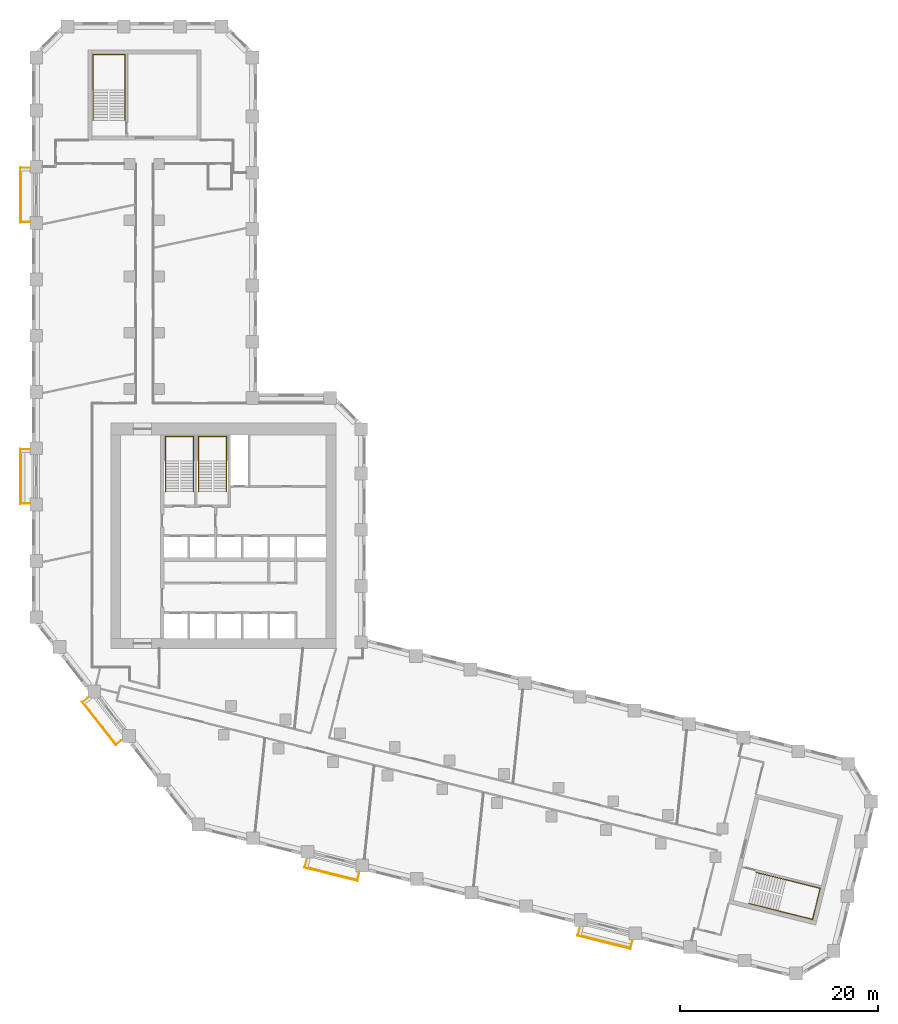
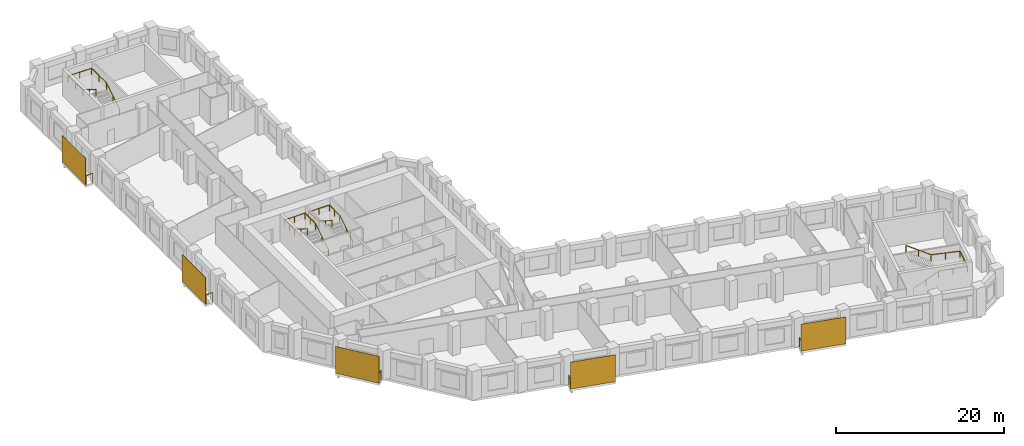
# One storey, part 11 of 11: 9 railings, 5 shading devices.
"""IFC4 building model written with IfcOpenShell, lengths in metres."""

import ifcopenshell
import ifcopenshell.guid

model = None  # the IFC model being written
_history = None  # IfcOwnerHistory: only IFC2X3 demands one
_inside = {}  # id of a spatial element -> (the spatial element, [elements in it])
_under = {}  # id of a project, library or spatial element -> (it, [spatial elements below it])
_declared = {}  # id of a project -> (the project, [libraries it declares])
_typed = {}  # id of a type object -> (the type object, [elements of that type])
_made_of = {}  # id of a material, layer set ... -> (it, [elements and type objects made of it])


def new_model(schema):
    """Start an empty IFC model of exactly this schema.

    Asked for "IFC4X3", IfcOpenShell would pick the latest addendum, in which some entities
    have other attributes; the version numbers below select the first issue.
    IFC2X3 requires an IfcOwnerHistory on every rooted entity: one is made here for all.
    """
    global model, _history
    if schema == "IFC4X3":
        model = ifcopenshell.file(schema_version=(4, 3, 0, 0))
    else:
        model = ifcopenshell.file(schema=schema)
    _inside.clear()
    _under.clear()
    _declared.clear()
    _typed.clear()
    _made_of.clear()
    _history = None
    if model.schema == "IFC2X3":
        org = make("IfcOrganization", Name="unknown")
        user = make(
            "IfcPersonAndOrganization",
            ThePerson=make("IfcPerson", FamilyName="unknown"),
            TheOrganization=org,
        )
        app = make(
            "IfcApplication",
            ApplicationDeveloper=org,
            Version="unknown",
            ApplicationFullName="unknown",
            ApplicationIdentifier="unknown",
        )
        _history = make(
            "IfcOwnerHistory",
            OwningUser=user,
            OwningApplication=app,
            ChangeAction="ADDED",
            CreationDate=0,
        )
    return model


def make(cls, **values):
    """One entity of the class cls with the attributes given. An attribute that is None is left unset."""
    return model.create_entity(
        cls, **{name: value for name, value in values.items() if value is not None}
    )


def rooted(cls, **values):
    """An entity with a GlobalId (a new one), such as an element, a storey or a relation."""
    return make(cls, GlobalId=ifcopenshell.guid.new(), OwnerHistory=_history, **values)


def si_unit(unit_type, name, prefix=None):
    """IfcSIUnit, for example si_unit("LENGTHUNIT", "METRE", prefix="MILLI")."""
    return make("IfcSIUnit", UnitType=unit_type, Prefix=prefix, Name=name)


def assignment(units):
    """IfcUnitAssignment: the units of a project."""
    return None if units is None else make("IfcUnitAssignment", Units=units)


def point(xyz):
    """IfcCartesianPoint."""
    return None if xyz is None else make("IfcCartesianPoint", Coordinates=xyz)


def direction(xyz):
    """IfcDirection."""
    return None if xyz is None else make("IfcDirection", DirectionRatios=xyz)


def frame(location, z_axis=None, x_axis=None):
    """IfcAxis2Placement3D, a coordinate frame: its origin and axes. An axis left out is left unset."""
    return make(
        "IfcAxis2Placement3D",
        Location=point(location),
        Axis=direction(z_axis),
        RefDirection=direction(x_axis),
    )


def frame_2d(location, x_axis=None):
    """IfcAxis2Placement2D, a coordinate frame in the plane: its origin and x axis."""
    return make(
        "IfcAxis2Placement2D", Location=point(location), RefDirection=direction(x_axis)
    )


def origin():
    """The frame at (0, 0, 0) with its axes left unset."""
    return frame((0.0, 0.0, 0.0))


def origin_2d():
    """The frame at (0, 0) in the plane with its x axis left unset."""
    return frame_2d((0.0, 0.0))


def place(relative_to, where):
    """IfcLocalPlacement: puts the frame where relative to a parent placement (None: the world)."""
    return make(
        "IfcLocalPlacement", PlacementRelTo=relative_to, RelativePlacement=where
    )


def context(
    kind, dimensions, precision=None, world=None, true_north=None, identifier=None
):
    """IfcGeometricRepresentationContext, for example the 3D "Model" context."""
    return make(
        "IfcGeometricRepresentationContext",
        ContextIdentifier=identifier,
        ContextType=kind,
        CoordinateSpaceDimension=dimensions,
        Precision=precision,
        WorldCoordinateSystem=world,
        TrueNorth=true_north,
    )


def subcontext(parent, identifier, kind, view, scale=None):
    """IfcGeometricRepresentationSubContext, for example "Body" below "Model"."""
    return make(
        "IfcGeometricRepresentationSubContext",
        ContextIdentifier=identifier,
        ContextType=kind,
        ParentContext=parent,
        TargetScale=scale,
        TargetView=view,
    )


def project(units=None, contexts=None):
    """IfcProject with its units and contexts."""
    return rooted(
        "IfcProject",
        Name="project",
        RepresentationContexts=contexts,
        UnitsInContext=assignment(units),
    )


def spatial(cls, under=None, at=None, **own):
    """A site, building, storey or space (cls), placed at a placement, below another one or the project."""
    s = rooted(cls, ObjectPlacement=at, **own)
    if under is not None:
        _under.setdefault(under.id(), (under, []))[1].append(s)
    return s


def profile(cls, at=None, kind="AREA", **sizes):
    """A parametric profile (cls). Its sizes go by their IFC names, for example OverallWidth=200.0."""
    return make(cls, ProfileType=kind, Position=at, **sizes)


def rectangle(**sizes):
    """IfcRectangleProfileDef."""
    return profile("IfcRectangleProfileDef", **sizes)


def circle(**sizes):
    """IfcCircleProfileDef."""
    return profile("IfcCircleProfileDef", **sizes)


def extrude(swept, where, along, depth):
    """IfcExtrudedAreaSolid: the profile swept, set in the frame where, extruded along a direction by depth."""
    return make(
        "IfcExtrudedAreaSolid",
        SweptArea=swept,
        Position=where,
        ExtrudedDirection=direction(along),
        Depth=depth,
    )


def shape(context_of_items, identifier, shape_type, items):
    """IfcShapeRepresentation: the items that make up one representation, for example the "Body"."""
    return make(
        "IfcShapeRepresentation",
        ContextOfItems=context_of_items,
        RepresentationIdentifier=identifier,
        RepresentationType=shape_type,
        Items=items,
    )


def material(Name=None, Category=None):
    """IfcMaterial."""
    return make("IfcMaterial", Name=Name, Category=Category)


def layer(
    of_material, thickness, ventilated=None, Name=None, Category=None, Priority=None
):
    """IfcMaterialLayer: one layer of a wall or slab, of a material (None: an air gap)."""
    return make(
        "IfcMaterialLayer",
        Material=of_material,
        LayerThickness=thickness,
        IsVentilated=ventilated,
        Name=Name,
        Category=Category,
        Priority=Priority,
    )


def layer_set(layers, Name=None):
    """IfcMaterialLayerSet."""
    return make("IfcMaterialLayerSet", MaterialLayers=layers, LayerSetName=Name)


def made_of(thing, what):
    """Note that an element or type object is made of a material, layer set ...; save() writes the relation."""
    if what is not None:
        _made_of.setdefault(what.id(), (what, []))[1].append(thing)
    return thing


def type_object(cls, material=None, **own):
    """A type object (cls), such as IfcWallType, which elements share."""
    return made_of(rooted(cls, **own), material)


def element(
    cls,
    number,
    at=None,
    inside=None,
    cuts=None,
    type_object=None,
    material=None,
    context=None,
    identifier="Body",
    shape_type=None,
    held_by="IfcProductDefinitionShape",
    body=None,
    shapes=None,
    **own,
):
    """One element of the class cls, such as IfcWall. Its Tag is "e" and its number.

    at: its placement. inside: the storey or other place that contains it. cuts: it is an
    opening in that element (IfcRelVoidsElement). A single representation is given by context,
    identifier, shape_type and body (its items); several are given by shapes. held_by: the class
    of the entity that holds the representations. save() writes the other relations.
    """
    e = rooted(cls, Tag="e%d" % number, ObjectPlacement=at, **own)
    if body is not None:
        shapes = [shape(context, identifier, shape_type, body)]
    if shapes is not None:
        e.Representation = make(held_by, Representations=shapes)
    if inside is not None:
        _inside.setdefault(inside.id(), (inside, []))[1].append(e)
    if cuts is not None:
        rooted(
            "IfcRelVoidsElement", RelatingBuildingElement=cuts, RelatedOpeningElement=e
        )
    if type_object is not None:
        _typed.setdefault(type_object.id(), (type_object, []))[1].append(e)
    return made_of(e, material)


def aggregate(whole, parts):
    """IfcRelAggregates: a whole, such as a stair, and the parts it consists of."""
    return rooted("IfcRelAggregates", RelatingObject=whole, RelatedObjects=parts)


def save(model, path):
    """Write the relations noted so far, then the file.

    IfcRelAggregates (storeys below a building ...), IfcRelContainedInSpatialStructure (elements
    in a storey), IfcRelDefinesByType, IfcRelAssociatesMaterial and IfcRelDeclares: one each for
    every whole, place, type object, material and project.
    """
    for whole, parts in _under.values():
        aggregate(whole, parts)
    for where, things in _inside.values():
        rooted(
            "IfcRelContainedInSpatialStructure",
            RelatedElements=things,
            RelatingStructure=where,
        )
    for kind, things in _typed.values():
        rooted("IfcRelDefinesByType", RelatedObjects=things, RelatingType=kind)
    for what, things in _made_of.values():
        rooted("IfcRelAssociatesMaterial", RelatedObjects=things, RelatingMaterial=what)
    for by, libraries in _declared.values():
        rooted("IfcRelDeclares", RelatingContext=by, RelatedDefinitions=libraries)
    model.write(path)


model = new_model("IFC4")

# Units and contexts
model_context = context("Model", 3, precision=1e-05, world=origin(), true_north=direction((0.0, 1.0)))
body_context = subcontext(model_context, "Body", "Model", "MODEL_VIEW")
ifc_project = project(units=[si_unit("LENGTHUNIT", "METRE"), si_unit("AREAUNIT", "SQUARE_METRE"), si_unit("VOLUMEUNIT", "CUBIC_METRE"), si_unit("PLANEANGLEUNIT", "RADIAN"), si_unit("MASSUNIT", "GRAM", prefix="KILO")], contexts=[model_context])

# Site, building, storey
site_placement = place(None, origin())
site = spatial("IfcSite", under=ifc_project, at=site_placement, CompositionType="ELEMENT")
building_placement = place(site_placement, origin())
building = spatial("IfcBuilding", under=site, at=building_placement, Name="Meshkara Civic Tower", CompositionType="ELEMENT")
storey_placement = place(building_placement, frame((0.0, 0.0, 135.0)))
storey = spatial("IfcBuildingStorey", under=building, at=storey_placement, Name="L30", CompositionType="ELEMENT", Elevation=135.0)

# Railings
ifc_material_1 = material(Name="Steel S355", Category="steel")
railing_type_1 = type_object("IfcRailingType", Name="BALUSTRADE GUARD 1400", PredefinedType="BALUSTRADE", material=ifc_material_1)
for number, where, name in (
    (1, (-0.199951171875, 62.735107421875, 0.0), "Balcony guard"),
    (2, (-0.199951171875, 34.235107421875, 0.0), "Balcony guard"),
):
    element("IfcRailing", number, at=place(storey_placement, frame(where)), inside=storey, type_object=railing_type_1, Name=name, PredefinedType="BALUSTRADE", context=body_context, shape_type="SweptSolid", body=[
        extrude(circle(Radius=0.02392578125, at=origin_2d()), frame((0.0, 0.0, 1.3759765625), z_axis=(-1.0, 0.0, 0.0), x_axis=(0.0, -1.0, 0.0)), (0.0, 0.0, 1.0), 0.91015625),
        extrude(circle(Radius=0.02392578125, at=origin_2d()), frame((-0.91015625, 0.0, 1.3759765625), z_axis=(0.0, -1.0, 0.0), x_axis=(1.0, 0.0, 0.0)), (0.0, 0.0, 1.0), 5.460205078125),
        extrude(circle(Radius=0.02392578125, at=origin_2d()), frame((-0.91015625, -5.460205078125, 1.3759765625), z_axis=(1.0, 0.0, 0.0), x_axis=(0.0, 1.0, 0.0)), (0.0, 0.0, 1.0), 0.91015625),
        extrude(circle(Radius=0.02099609375, at=origin_2d()), origin(), (0.0, 0.0, 1.0), 1.351806640625),
        extrude(circle(Radius=0.02099609375, at=origin_2d()), frame((-0.91015625, 0.0, 0.0)), (0.0, 0.0, 1.0), 1.351806640625),
        extrude(circle(Radius=0.02099609375, at=origin_2d()), frame((-0.91015625, -1.092041015625, 0.0)), (0.0, 0.0, 1.0), 1.351806640625),
        extrude(circle(Radius=0.02099609375, at=origin_2d()), frame((-0.91015625, -2.18408203125, 0.0)), (0.0, 0.0, 1.0), 1.351806640625),
        extrude(circle(Radius=0.02099609375, at=origin_2d()), frame((-0.91015625, -3.276123046875, 0.0)), (0.0, 0.0, 1.0), 1.351806640625),
        extrude(circle(Radius=0.02099609375, at=origin_2d()), frame((-0.91015625, -4.3681640625, 0.0)), (0.0, 0.0, 1.0), 1.351806640625),
        extrude(circle(Radius=0.02099609375, at=origin_2d()), frame((-0.91015625, -5.460205078125, 0.0)), (0.0, 0.0, 1.0), 1.351806640625),
        extrude(circle(Radius=0.02099609375, at=origin_2d()), frame((0.0, -5.460205078125, 0.0)), (0.0, 0.0, 1.0), 1.351806640625),
    ])
railing_1_placement = place(storey_placement, frame((5.677978515625, 9.0810546875, 0.0)))
element("IfcRailing", 3, at=railing_1_placement, inside=storey, type_object=railing_type_1, Name="Balcony guard", PredefinedType="BALUSTRADE", context=body_context, shape_type="SweptSolid", body=[
    extrude(circle(Radius=0.02392578125, at=origin_2d()), frame((0.0, 0.0, 1.3759765625), z_axis=(-0.787481136241, -0.61633875431, 0.0), x_axis=(0.61633875431, -0.787481136241, 0.0)), (0.0, 0.0, 1.0), 0.647705078125),
    extrude(circle(Radius=0.02392578125, at=origin_2d()), frame((-0.510009765625, -0.399169921875, 1.3759765625), z_axis=(0.615684818606, -0.787992515281, 0.0), x_axis=(0.787992515281, 0.615684818606, 0.0)), (0.0, 0.0, 1.0), 5.460693359375),
    extrude(circle(Radius=0.02392578125, at=origin_2d()), frame((2.85205078125, -4.7021484375, 1.3759765625), z_axis=(0.787481136241, 0.61633875431, 0.0), x_axis=(-0.61633875431, 0.787481136241, 0.0)), (0.0, 0.0, 1.0), 0.647705078125),
    extrude(circle(Radius=0.02099609375, at=origin_2d()), origin(), (0.0, 0.0, 1.0), 1.351806640625),
    extrude(circle(Radius=0.02099609375, at=origin_2d()), frame((-0.510009765625, -0.399169921875, 0.0)), (0.0, 0.0, 1.0), 1.351806640625),
    extrude(circle(Radius=0.02099609375, at=origin_2d()), frame((0.162353515625, -1.259765625, 0.0)), (0.0, 0.0, 1.0), 1.351806640625),
    extrude(circle(Radius=0.02099609375, at=origin_2d()), frame((0.834716796875, -2.120361328125, 0.0)), (0.0, 0.0, 1.0), 1.351806640625),
    extrude(circle(Radius=0.02099609375, at=origin_2d()), frame((1.50732421875, -2.98095703125, 0.0)), (0.0, 0.0, 1.0), 1.351806640625),
    extrude(circle(Radius=0.02099609375, at=origin_2d()), frame((2.1796875, -3.841552734375, 0.0)), (0.0, 0.0, 1.0), 1.351806640625),
    extrude(circle(Radius=0.02099609375, at=origin_2d()), frame((2.85205078125, -4.7021484375, 0.0)), (0.0, 0.0, 1.0), 1.351806640625),
    extrude(circle(Radius=0.02099609375, at=origin_2d()), frame((3.362060546875, -4.302978515625, 0.0)), (0.0, 0.0, 1.0), 1.351806640625),
])
railing_2_placement = place(storey_placement, frame((27.837890625, -7.2890625, 0.0)))
element("IfcRailing", 4, at=railing_2_placement, inside=storey, type_object=railing_type_1, Name="Balcony guard", PredefinedType="BALUSTRADE", context=body_context, shape_type="SweptSolid", body=[
    extrude(circle(Radius=0.02392578125, at=origin_2d()), frame((0.0, 0.0, 1.3759765625), z_axis=(-0.242237978263, -0.970216863329, 0.0), x_axis=(0.970216863329, -0.242237978263, 0.0)), (0.0, 0.0, 1.0), 0.77197265625),
    extrude(circle(Radius=0.02392578125, at=origin_2d()), frame((-0.18701171875, -0.7490234375, 1.3759765625), z_axis=(0.970302726319, -0.241893818229, 0.0), x_axis=(0.241893818229, 0.970302726319, 0.0)), (0.0, 0.0, 1.0), 5.460205078125),
    extrude(circle(Radius=0.02392578125, at=origin_2d()), frame((5.111083984375, -2.06982421875, 1.3759765625), z_axis=(0.242312323582, 0.970198298205, 0.0), x_axis=(-0.970198298205, 0.242312323582, 0.0)), (0.0, 0.0, 1.0), 0.771728515625),
    extrude(circle(Radius=0.02099609375, at=origin_2d()), origin(), (0.0, 0.0, 1.0), 1.351806640625),
    extrude(circle(Radius=0.02099609375, at=origin_2d()), frame((-0.18701171875, -0.7490234375, 0.0)), (0.0, 0.0, 1.0), 1.351806640625),
    extrude(circle(Radius=0.02099609375, at=origin_2d()), frame((0.87255859375, -1.01318359375, 0.0)), (0.0, 0.0, 1.0), 1.351806640625),
    extrude(circle(Radius=0.02099609375, at=origin_2d()), frame((1.93212890625, -1.27734375, 0.0)), (0.0, 0.0, 1.0), 1.351806640625),
    extrude(circle(Radius=0.02099609375, at=origin_2d()), frame((2.991943359375, -1.54150390625, 0.0)), (0.0, 0.0, 1.0), 1.351806640625),
    extrude(circle(Radius=0.02099609375, at=origin_2d()), frame((4.051513671875, -1.8056640625, 0.0)), (0.0, 0.0, 1.0), 1.351806640625),
    extrude(circle(Radius=0.02099609375, at=origin_2d()), frame((5.111083984375, -2.06982421875, 0.0)), (0.0, 0.0, 1.0), 1.351806640625),
    extrude(circle(Radius=0.02099609375, at=origin_2d()), frame((5.298095703125, -1.321044921875, 0.0)), (0.0, 0.0, 1.0), 1.351806640625),
])
railing_3_placement = place(storey_placement, frame((55.491943359375, -14.18408203125, 0.0)))
element("IfcRailing", 5, at=railing_3_placement, inside=storey, type_object=railing_type_1, Name="Balcony guard", PredefinedType="BALUSTRADE", context=body_context, shape_type="SweptSolid", body=[
    extrude(circle(Radius=0.02392578125, at=origin_2d()), frame((0.0, 0.0, 1.3759765625), z_axis=(-0.242237978263, -0.970216863329, 0.0), x_axis=(0.970216863329, -0.242237978263, 0.0)), (0.0, 0.0, 1.0), 0.77197265625),
    extrude(circle(Radius=0.02392578125, at=origin_2d()), frame((-0.18701171875, -0.7490234375, 1.3759765625), z_axis=(0.970302726319, -0.241893818229, 0.0), x_axis=(0.241893818229, 0.970302726319, 0.0)), (0.0, 0.0, 1.0), 5.460205078125),
    extrude(circle(Radius=0.02392578125, at=origin_2d()), frame((5.111083984375, -2.06982421875, 1.3759765625), z_axis=(0.242237978263, 0.970216863329, 0.0), x_axis=(-0.970216863329, 0.242237978263, 0.0)), (0.0, 0.0, 1.0), 0.77197265625),
    extrude(circle(Radius=0.02099609375, at=origin_2d()), origin(), (0.0, 0.0, 1.0), 1.351806640625),
    extrude(circle(Radius=0.02099609375, at=origin_2d()), frame((-0.18701171875, -0.7490234375, 0.0)), (0.0, 0.0, 1.0), 1.351806640625),
    extrude(circle(Radius=0.02099609375, at=origin_2d()), frame((0.87255859375, -1.01318359375, 0.0)), (0.0, 0.0, 1.0), 1.351806640625),
    extrude(circle(Radius=0.02099609375, at=origin_2d()), frame((1.93212890625, -1.27734375, 0.0)), (0.0, 0.0, 1.0), 1.351806640625),
    extrude(circle(Radius=0.02099609375, at=origin_2d()), frame((2.991943359375, -1.54150390625, 0.0)), (0.0, 0.0, 1.0), 1.351806640625),
    extrude(circle(Radius=0.02099609375, at=origin_2d()), frame((4.051513671875, -1.8056640625, 0.0)), (0.0, 0.0, 1.0), 1.351806640625),
    extrude(circle(Radius=0.02099609375, at=origin_2d()), frame((5.111083984375, -2.06982421875, 0.0)), (0.0, 0.0, 1.0), 1.351806640625),
    extrude(circle(Radius=0.02099609375, at=origin_2d()), frame((5.298095703125, -1.32080078125, 0.0)), (0.0, 0.0, 1.0), 1.351806640625),
])

# Shading devices
ifc_material_2 = material(Name="Perforated bronze anodised aluminium sheet", Category="aluminium")
ifc_layer = layer(ifc_material_2, 0.0400390625)
ifc_layer_set = layer_set([ifc_layer], Name="PERFORATED BRONZE SCREEN")
shading_device_type = type_object("IfcShadingDeviceType", Name="PERFORATED BRONZE SCREEN", PredefinedType="USERDEFINED", material=ifc_layer_set)
for number, where, z_axis, x_axis, name in (
    (6, (-1.179931640625, 60.0048828125, 0.0), (0.0, 0.0, 1.0), (0.0, -1.0, 0.0), "Balcony screen"),
    (7, (-1.179931640625, 31.5048828125, 0.0), (0.0, 0.0, 1.0), (0.0, -1.0, 0.0), "Balcony screen"),
):
    element("IfcShadingDevice", number, at=place(storey_placement, frame(where, z_axis=z_axis, x_axis=x_axis)), inside=storey, type_object=shading_device_type, Name=name, ObjectType="SCREEN", PredefinedType="USERDEFINED", context=body_context, shape_type="SweptSolid", body=[
        extrude(rectangle(XDim=5.580078125, YDim=0.0400390625, at=origin_2d()), origin(), (0.0, 0.0, 1.0), 3.89990234375),
    ])
shading_device_placement = place(storey_placement, frame((6.7939453125, 6.488037109375, 0.0), z_axis=(0.0, 0.0, 1.0), x_axis=(0.615661475326, -0.788010753607, 0.0)))
element("IfcShadingDevice", 8, at=shading_device_placement, inside=storey, type_object=shading_device_type, Name="Balcony screen", ObjectType="SCREEN", PredefinedType="USERDEFINED", context=body_context, shape_type="SweptSolid", body=[
    extrude(rectangle(XDim=5.5810546875, YDim=0.0400390625, at=origin_2d()), origin(), (0.0, 0.0, 1.0), 3.89990234375),
])
for number, where, z_axis, x_axis, name in (
    (9, (30.282958984375, -8.76708984375, 0.0), (0.0, 0.0, 1.0), (0.970299948462, -0.241904960708, 0.0), "Balcony screen"),
    (10, (57.93701171875, -15.660888671875, 0.0), (0.0, 0.0, 1.0), (0.970299948462, -0.241904960708, 0.0), "Balcony screen"),
):
    element("IfcShadingDevice", number, at=place(storey_placement, frame(where, z_axis=z_axis, x_axis=x_axis)), inside=storey, type_object=shading_device_type, Name=name, ObjectType="SCREEN", PredefinedType="USERDEFINED", context=body_context, shape_type="SweptSolid", body=[
        extrude(rectangle(XDim=5.580078125, YDim=0.0400390625, at=origin_2d()), origin(), (0.0, 0.0, 1.0), 3.89990234375),
    ])

# Railings
ifc_material_3 = material(Name="Steel handrail", Category="steel")
railing_type_2 = type_object("IfcRailingType", Name="Stair handrail 900", PredefinedType="HANDRAIL", material=ifc_material_3)
railing_4_placement = place(storey_placement, frame((16.375, 30.0, 0.175048828125)))
element("IfcRailing", 11, at=railing_4_placement, inside=storey, type_object=railing_type_2, Name="L30 ST1 stair handrail 1", PredefinedType="HANDRAIL", context=body_context, shape_type="SweptSolid", body=[
    extrude(circle(Radius=0.02392578125, at=origin_2d()), frame((0.0, 0.0, 0.8759765625), z_axis=(0.0, 0.847998304005, 0.529998940003), x_axis=(-1.0, 0.0, 0.0)), (0.0, 0.0, 1.0), 3.632080078125),
    extrude(circle(Radius=0.02392578125, at=origin_2d()), frame((0.0, 3.080078125, 2.80078125), z_axis=(0.0, 1.0, 0.0), x_axis=(-1.0, 0.0, 0.0)), (0.0, 0.0, 1.0), 2.469970703125),
    extrude(circle(Radius=0.02392578125, at=origin_2d()), frame((0.0, 5.550048828125, 2.80078125), z_axis=(-1.0, 0.0, 0.0), x_axis=(0.0, -1.0, 0.0)), (0.0, 0.0, 1.0), 2.85009765625),
    extrude(circle(Radius=0.02392578125, at=origin_2d()), frame((-2.85009765625, 5.550048828125, 2.80078125), z_axis=(0.0, -0.997505032726, 0.070595394231), x_axis=(1.0, 0.0, 0.0)), (0.0, 0.0, 1.0), 2.47607421875),
    extrude(circle(Radius=0.02392578125, at=origin_2d()), frame((-2.85009765625, 3.080078125, 2.9755859375), z_axis=(0.0, -0.847998304005, 0.529998940003), x_axis=(1.0, 0.0, 0.0)), (0.0, 0.0, 1.0), 3.632080078125),
    extrude(circle(Radius=0.02099609375, at=origin_2d()), origin(), (0.0, 0.0, 1.0), 0.851806640625),
    extrude(circle(Radius=0.02099609375, at=origin_2d()), frame((0.0, 1.5400390625, 0.96240234375)), (0.0, 0.0, 1.0), 0.851806640625),
    extrude(circle(Radius=0.02099609375, at=origin_2d()), frame((0.0, 3.080078125, 1.925048828125)), (0.0, 0.0, 1.0), 0.851806640625),
    extrude(circle(Radius=0.02099609375, at=origin_2d()), frame((0.0, 4.31494140625, 1.925048828125)), (0.0, 0.0, 1.0), 0.851806640625),
    extrude(circle(Radius=0.02099609375, at=origin_2d()), frame((0.0, 5.550048828125, 1.925048828125)), (0.0, 0.0, 1.0), 0.851806640625),
    extrude(circle(Radius=0.02099609375, at=origin_2d()), frame((-1.425048828125, 5.550048828125, 1.925048828125)), (0.0, 0.0, 1.0), 0.851806640625),
    extrude(circle(Radius=0.02099609375, at=origin_2d()), frame((-2.85009765625, 5.550048828125, 1.925048828125)), (0.0, 0.0, 1.0), 0.851806640625),
    extrude(circle(Radius=0.02099609375, at=origin_2d()), frame((-2.85009765625, 4.31494140625, 2.012451171875)), (0.0, 0.0, 1.0), 0.851806640625),
    extrude(circle(Radius=0.02099609375, at=origin_2d()), frame((-2.85009765625, 3.080078125, 2.099853515625)), (0.0, 0.0, 1.0), 0.851806640625),
    extrude(circle(Radius=0.02099609375, at=origin_2d()), frame((-2.85009765625, 1.5400390625, 3.0625)), (0.0, 0.0, 1.0), 0.851806640625),
    extrude(circle(Radius=0.02099609375, at=origin_2d()), frame((-2.85009765625, 0.0, 4.02490234375)), (0.0, 0.0, 1.0), 0.851806640625),
])
railing_5_placement = place(storey_placement, frame((19.72509765625, 30.0, 0.175048828125)))
element("IfcRailing", 12, at=railing_5_placement, inside=storey, type_object=railing_type_2, Name="L30 ST2 stair handrail 1", PredefinedType="HANDRAIL", context=body_context, shape_type="SweptSolid", body=[
    extrude(circle(Radius=0.02392578125, at=origin_2d()), frame((0.0, 0.0, 0.8759765625), z_axis=(0.0, 0.847998304005, 0.529998940003), x_axis=(-1.0, 0.0, 0.0)), (0.0, 0.0, 1.0), 3.632080078125),
    extrude(circle(Radius=0.02392578125, at=origin_2d()), frame((0.0, 3.080078125, 2.80078125), z_axis=(0.0, 1.0, 0.0), x_axis=(-1.0, 0.0, 0.0)), (0.0, 0.0, 1.0), 2.469970703125),
    extrude(circle(Radius=0.02392578125, at=origin_2d()), frame((0.0, 5.550048828125, 2.80078125), z_axis=(-1.0, 0.0, 0.0), x_axis=(0.0, -1.0, 0.0)), (0.0, 0.0, 1.0), 2.85009765625),
    extrude(circle(Radius=0.02392578125, at=origin_2d()), frame((-2.85009765625, 5.550048828125, 2.80078125), z_axis=(0.0, -0.997505032726, 0.070595394231), x_axis=(1.0, 0.0, 0.0)), (0.0, 0.0, 1.0), 2.47607421875),
    extrude(circle(Radius=0.02392578125, at=origin_2d()), frame((-2.85009765625, 3.080078125, 2.9755859375), z_axis=(0.0, -0.847998304005, 0.529998940003), x_axis=(1.0, 0.0, 0.0)), (0.0, 0.0, 1.0), 3.632080078125),
    extrude(circle(Radius=0.02099609375, at=origin_2d()), origin(), (0.0, 0.0, 1.0), 0.851806640625),
    extrude(circle(Radius=0.02099609375, at=origin_2d()), frame((0.0, 1.5400390625, 0.96240234375)), (0.0, 0.0, 1.0), 0.851806640625),
    extrude(circle(Radius=0.02099609375, at=origin_2d()), frame((0.0, 3.080078125, 1.925048828125)), (0.0, 0.0, 1.0), 0.851806640625),
    extrude(circle(Radius=0.02099609375, at=origin_2d()), frame((0.0, 4.31494140625, 1.925048828125)), (0.0, 0.0, 1.0), 0.851806640625),
    extrude(circle(Radius=0.02099609375, at=origin_2d()), frame((0.0, 5.550048828125, 1.925048828125)), (0.0, 0.0, 1.0), 0.851806640625),
    extrude(circle(Radius=0.02099609375, at=origin_2d()), frame((-1.425048828125, 5.550048828125, 1.925048828125)), (0.0, 0.0, 1.0), 0.851806640625),
    extrude(circle(Radius=0.02099609375, at=origin_2d()), frame((-2.85009765625, 5.550048828125, 1.925048828125)), (0.0, 0.0, 1.0), 0.851806640625),
    extrude(circle(Radius=0.02099609375, at=origin_2d()), frame((-2.85009765625, 4.31494140625, 2.012451171875)), (0.0, 0.0, 1.0), 0.851806640625),
    extrude(circle(Radius=0.02099609375, at=origin_2d()), frame((-2.85009765625, 3.080078125, 2.099853515625)), (0.0, 0.0, 1.0), 0.851806640625),
    extrude(circle(Radius=0.02099609375, at=origin_2d()), frame((-2.85009765625, 1.5400390625, 3.0625)), (0.0, 0.0, 1.0), 0.851806640625),
    extrude(circle(Radius=0.02099609375, at=origin_2d()), frame((-2.85009765625, 0.0, 4.02490234375)), (0.0, 0.0, 1.0), 0.851806640625),
])
railing_6_placement = place(storey_placement, frame((9.425048828125, 67.570068359375, 0.175048828125)))
element("IfcRailing", 13, at=railing_6_placement, inside=storey, type_object=railing_type_2, Name="L30 ESA2 stair handrail 1", PredefinedType="HANDRAIL", context=body_context, shape_type="SweptSolid", body=[
    extrude(circle(Radius=0.02392578125, at=origin_2d()), frame((0.0, 0.0, 0.8759765625), z_axis=(0.0, 0.847979421464, 0.530029150871), x_axis=(-1.0, 0.0, 0.0)), (0.0, 0.0, 1.0), 3.632080078125),
    extrude(circle(Radius=0.02392578125, at=origin_2d()), frame((0.0, 3.079833984375, 2.80078125), z_axis=(0.0, 1.0, 0.0), x_axis=(-1.0, 0.0, 0.0)), (0.0, 0.0, 1.0), 3.570068359375),
    extrude(circle(Radius=0.02392578125, at=origin_2d()), frame((0.0, 6.64990234375, 2.80078125), z_axis=(-1.0, 0.0, 0.0), x_axis=(0.0, -1.0, 0.0)), (0.0, 0.0, 1.0), 3.25),
    extrude(circle(Radius=0.02392578125, at=origin_2d()), frame((-3.25, 6.64990234375, 2.80078125), z_axis=(0.0, -0.998803416417, 0.048905371412), x_axis=(1.0, 0.0, 0.0)), (0.0, 0.0, 1.0), 3.574462890625),
    extrude(circle(Radius=0.02392578125, at=origin_2d()), frame((-3.25, 3.079833984375, 2.9755859375), z_axis=(0.0, -0.847979421464, 0.530029150871), x_axis=(1.0, 0.0, 0.0)), (0.0, 0.0, 1.0), 3.632080078125),
    extrude(circle(Radius=0.02099609375, at=origin_2d()), origin(), (0.0, 0.0, 1.0), 0.851806640625),
    extrude(circle(Radius=0.02099609375, at=origin_2d()), frame((0.0, 1.5400390625, 0.96240234375)), (0.0, 0.0, 1.0), 0.851806640625),
    extrude(circle(Radius=0.02099609375, at=origin_2d()), frame((0.0, 3.079833984375, 1.925048828125)), (0.0, 0.0, 1.0), 0.851806640625),
    extrude(circle(Radius=0.02099609375, at=origin_2d()), frame((0.0, 4.86474609375, 1.925048828125)), (0.0, 0.0, 1.0), 0.851806640625),
    extrude(circle(Radius=0.02099609375, at=origin_2d()), frame((0.0, 6.64990234375, 1.925048828125)), (0.0, 0.0, 1.0), 0.851806640625),
    extrude(circle(Radius=0.02099609375, at=origin_2d()), frame((-1.625, 6.64990234375, 1.925048828125)), (0.0, 0.0, 1.0), 0.851806640625),
    extrude(circle(Radius=0.02099609375, at=origin_2d()), frame((-3.25, 6.64990234375, 1.925048828125)), (0.0, 0.0, 1.0), 0.851806640625),
    extrude(circle(Radius=0.02099609375, at=origin_2d()), frame((-3.25, 4.86474609375, 2.012451171875)), (0.0, 0.0, 1.0), 0.851806640625),
    extrude(circle(Radius=0.02099609375, at=origin_2d()), frame((-3.25, 3.079833984375, 2.099853515625)), (0.0, 0.0, 1.0), 0.851806640625),
    extrude(circle(Radius=0.02099609375, at=origin_2d()), frame((-3.25, 1.5400390625, 3.0625)), (0.0, 0.0, 1.0), 0.851806640625),
    extrude(circle(Radius=0.02099609375, at=origin_2d()), frame((-3.25, 0.0, 4.02490234375)), (0.0, 0.0, 1.0), 0.851806640625),
])
railing_7_placement = place(storey_placement, frame((72.587158203125, -11.73388671875, 0.175048828125)))
element("IfcRailing", 14, at=railing_7_placement, inside=storey, type_object=railing_type_2, Name="L30 ESB2 stair handrail 1", PredefinedType="HANDRAIL", context=body_context, shape_type="SweptSolid", body=[
    extrude(circle(Radius=0.02392578125, at=origin_2d()), frame((0.0, 0.0, 0.8759765625), z_axis=(0.82276025377, -0.205286749593, 0.530021617727), x_axis=(0.242087961707, 0.97025430625, 0.0)), (0.0, 0.0, 1.0), 3.632080078125),
    extrude(circle(Radius=0.02392578125, at=origin_2d()), frame((2.98828125, -0.74560546875, 2.80078125), z_axis=(0.97025503065, -0.242085058395, 0.0), x_axis=(0.242085058395, 0.97025503065, 0.0)), (0.0, 0.0, 1.0), 3.570068359375),
    extrude(circle(Radius=0.02392578125, at=origin_2d()), frame((6.4521484375, -1.60986328125, 2.80078125), z_axis=(0.242040676986, 0.970266103027, 0.0), x_axis=(-0.970266103027, 0.242040676986, 0.0)), (0.0, 0.0, 1.0), 3.25),
    extrude(circle(Radius=0.02392578125, at=origin_2d()), frame((7.23876953125, 1.54345703125, 2.80078125), z_axis=(-0.969094032987, 0.241795381786, 0.048905506598), x_axis=(-0.242085058395, -0.97025503065, 0.0)), (0.0, 0.0, 1.0), 3.57421875),
    extrude(circle(Radius=0.02392578125, at=origin_2d()), frame((3.77490234375, 2.40771484375, 2.9755859375), z_axis=(-0.82276025377, 0.205286749593, 0.530021617727), x_axis=(-0.242087961707, -0.97025430625, 0.0)), (0.0, 0.0, 1.0), 3.632080078125),
    extrude(circle(Radius=0.02099609375, at=origin_2d()), origin(), (0.0, 0.0, 1.0), 0.851806640625),
    extrude(circle(Radius=0.02099609375, at=origin_2d()), frame((1.494140625, -0.372802734375, 0.96240234375)), (0.0, 0.0, 1.0), 0.851806640625),
    extrude(circle(Radius=0.02099609375, at=origin_2d()), frame((2.98828125, -0.74560546875, 1.925048828125)), (0.0, 0.0, 1.0), 0.851806640625),
    extrude(circle(Radius=0.02099609375, at=origin_2d()), frame((4.72021484375, -1.177734375, 1.925048828125)), (0.0, 0.0, 1.0), 0.851806640625),
    extrude(circle(Radius=0.02099609375, at=origin_2d()), frame((6.4521484375, -1.60986328125, 1.925048828125)), (0.0, 0.0, 1.0), 0.851806640625),
    extrude(circle(Radius=0.02099609375, at=origin_2d()), frame((6.845458984375, -0.033203125, 1.925048828125)), (0.0, 0.0, 1.0), 0.851806640625),
    extrude(circle(Radius=0.02099609375, at=origin_2d()), frame((7.23876953125, 1.54345703125, 1.925048828125)), (0.0, 0.0, 1.0), 0.851806640625),
    extrude(circle(Radius=0.02099609375, at=origin_2d()), frame((5.5068359375, 1.9755859375, 2.012451171875)), (0.0, 0.0, 1.0), 0.851806640625),
    extrude(circle(Radius=0.02099609375, at=origin_2d()), frame((3.77490234375, 2.40771484375, 2.099853515625)), (0.0, 0.0, 1.0), 0.851806640625),
    extrude(circle(Radius=0.02099609375, at=origin_2d()), frame((2.28076171875, 2.780517578125, 3.0625)), (0.0, 0.0, 1.0), 0.851806640625),
    extrude(circle(Radius=0.02099609375, at=origin_2d()), frame((0.78662109375, 3.1533203125, 4.02490234375)), (0.0, 0.0, 1.0), 0.851806640625),
])

save(model, "model.ifc")
